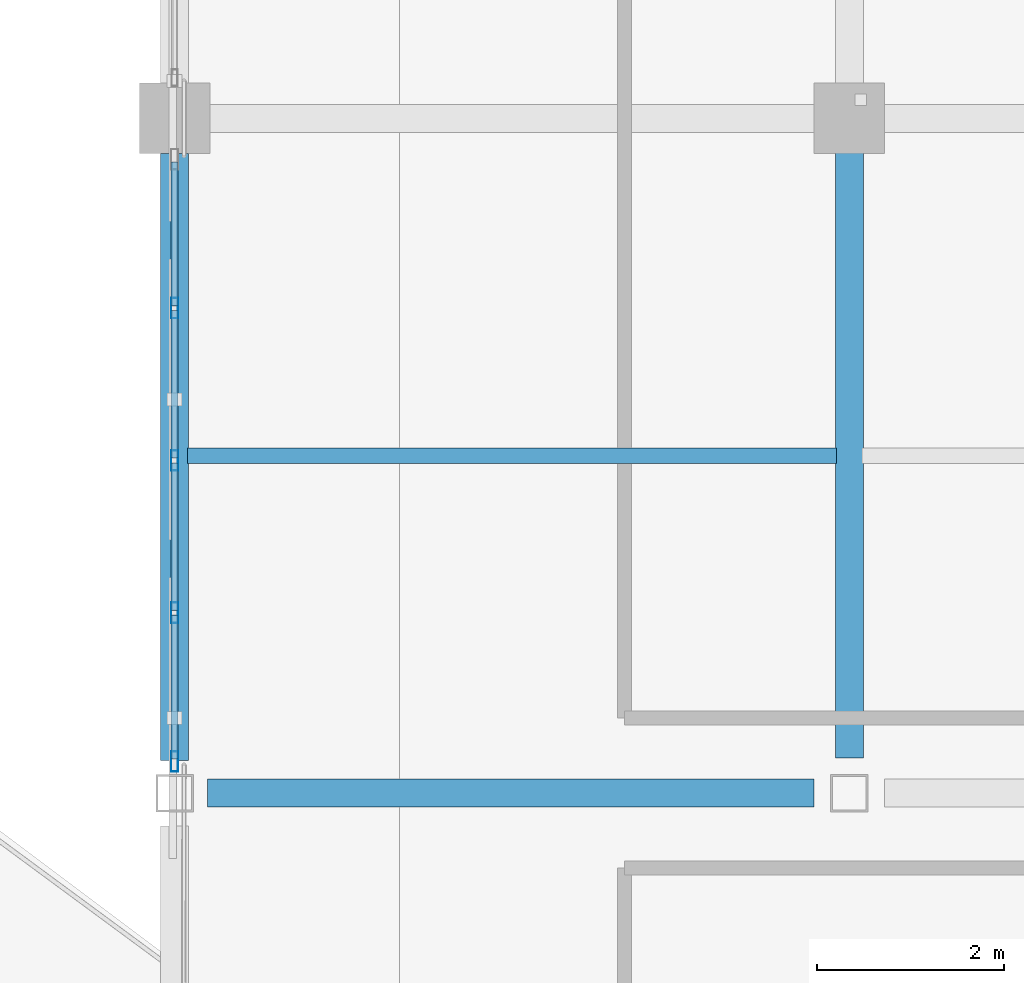
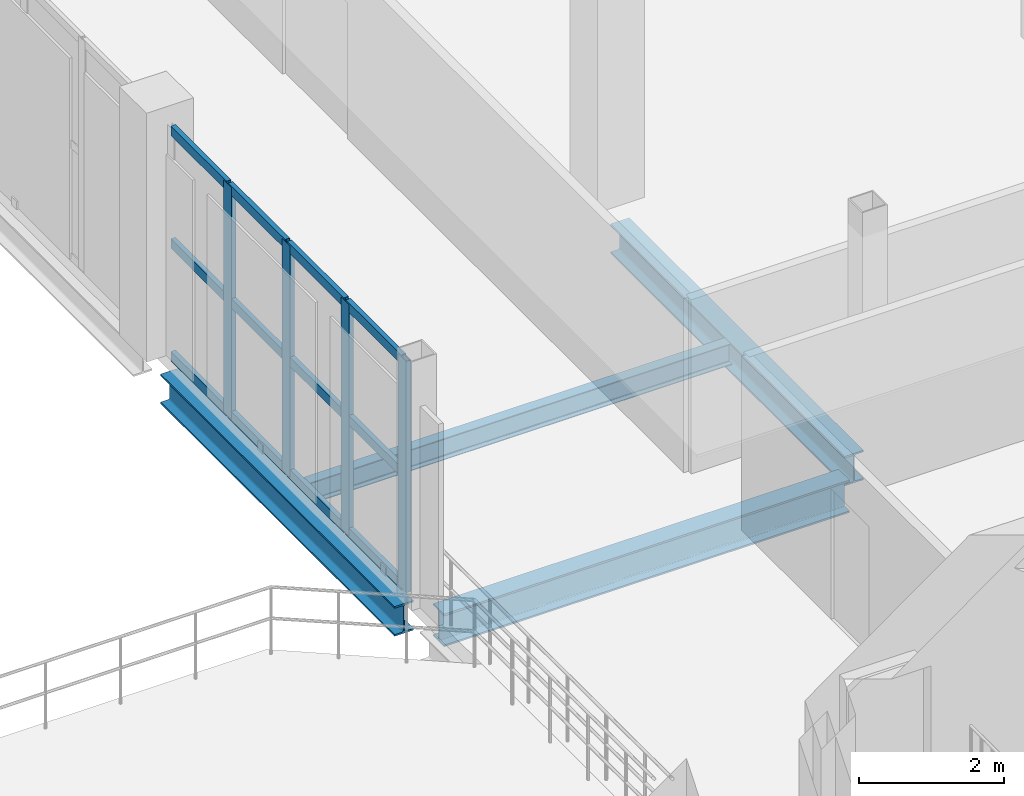
# One storey, part 70 of 130: 16 members, 4 beams, 1 element without a shape of its own.
"""IFC4 building model written with IfcOpenShell, lengths in metres."""

from ifc_helpers import new_model, si_unit, direction, frame, origin, origin_2d, place, context, subcontext, project, spatial, hollow_rectangle, i_section, extrude, material, material_profile, profile_set, type_object, element, aggregate, save


model = new_model("IFC4")

# Units and contexts
model_context = context("Model", 3, precision=1e-05, world=origin(), true_north=direction((0.0, 1.0)))
body_context = subcontext(model_context, "Body", "Model", "MODEL_VIEW")
ifc_project = project(units=[si_unit("LENGTHUNIT", "METRE"), si_unit("AREAUNIT", "SQUARE_METRE"), si_unit("VOLUMEUNIT", "CUBIC_METRE"), si_unit("PLANEANGLEUNIT", "RADIAN"), si_unit("MASSUNIT", "GRAM", prefix="KILO")], contexts=[model_context])

# Site, building, storey
site_placement = place(None, origin())
site = spatial("IfcSite", under=ifc_project, at=site_placement, CompositionType="ELEMENT")
building_placement = place(site_placement, origin())
building = spatial("IfcBuilding", under=site, at=building_placement, Name="Qandorah Velis Arena", CompositionType="ELEMENT")
storey_placement = place(building_placement, frame((0.0, 0.0, 9.60009765625)))
storey = spatial("IfcBuildingStorey", under=building, at=storey_placement, Name="L02", CompositionType="ELEMENT", Elevation=9.60009765625)

# Curtain wall, members
ifc_material_1 = material(Name="Solar-control low-E double glazing", Category="glass")
curtain_wall_type = type_object("IfcCurtainWallType", Name="ARC-CW-SYS05", PredefinedType="USERDEFINED", material=ifc_material_1)
curtain_wall_placement = place(storey_placement, origin())
curtain_wall = element("IfcCurtainWall", 1, at=curtain_wall_placement, inside=storey, type_object=curtain_wall_type, Name="Unitised curtain wall L02-125", ObjectType="UNITISED CURTAIN WALL", PredefinedType="USERDEFINED")
ifc_material_2 = material(Name="Champagne-bronze anodized aluminium 6063-T6", Category="aluminium")
ifc_material_profile_1 = material_profile(ifc_material_2, hollow_rectangle(XDim=0.074951171875, YDim=0.219970703125, WallThickness=0.00390625, at=origin_2d()), Name="ALU MULLION 75x220")
ifc_profile_set_1 = profile_set([ifc_material_profile_1], Name="Champagne-bronze anodized aluminium 6063-T6")
member_type_1 = type_object("IfcMemberType", Name="ARC-CWM-220", PredefinedType="MULLION", material=ifc_profile_set_1)
member_1_placement = place(storey_placement, frame((151.199951171875, 57.9375, -0.01513671875), z_axis=(0.0, 0.0, 1.0), x_axis=(-1.0, 0.0, 0.0)))
member_1 = element("IfcMember", 2, at=member_1_placement, type_object=member_type_1, Name="CW05 mullion 1", PredefinedType="MULLION", context=body_context, shape_type="SweptSolid", body=[
    extrude(hollow_rectangle(XDim=0.074951171875, YDim=0.219970703125, WallThickness=0.00390625, at=origin_2d()), origin(), (0.0, 0.0, 1.0), 3.91015625),
])
member_2_placement = place(storey_placement, frame((151.199951171875, 59.52490234375, -0.01513671875), z_axis=(0.0, 0.0, 1.0), x_axis=(-1.0, 0.0, 0.0)))
member_2 = element("IfcMember", 3, at=member_2_placement, type_object=member_type_1, Name="CW05 mullion 2", PredefinedType="MULLION", context=body_context, shape_type="SweptSolid", body=[
    extrude(hollow_rectangle(XDim=0.074951171875, YDim=0.219970703125, WallThickness=0.00390625, at=origin_2d()), origin(), (0.0, 0.0, 1.0), 3.91015625),
])
member_3_placement = place(storey_placement, frame((151.199951171875, 61.14990234375, -0.01513671875), z_axis=(0.0, 0.0, 1.0), x_axis=(-1.0, 0.0, 0.0)))
member_3 = element("IfcMember", 4, at=member_3_placement, type_object=member_type_1, Name="CW05 mullion 3", PredefinedType="MULLION", context=body_context, shape_type="SweptSolid", body=[
    extrude(hollow_rectangle(XDim=0.074951171875, YDim=0.219970703125, WallThickness=0.00390625, at=origin_2d()), origin(), (0.0, 0.0, 1.0), 3.91015625),
])
member_4_placement = place(storey_placement, frame((151.199951171875, 62.77490234375, -0.01513671875), z_axis=(0.0, 0.0, 1.0), x_axis=(-1.0, 0.0, 0.0)))
member_4 = element("IfcMember", 5, at=member_4_placement, type_object=member_type_1, Name="CW05 mullion 4", PredefinedType="MULLION", context=body_context, shape_type="SweptSolid", body=[
    extrude(hollow_rectangle(XDim=0.074951171875, YDim=0.219970703125, WallThickness=0.00390625, at=origin_2d()), origin(), (0.0, 0.0, 1.0), 3.91015625),
])
ifc_material_profile_2 = material_profile(ifc_material_2, hollow_rectangle(XDim=0.074951171875, YDim=0.159912109375, WallThickness=0.00341796875, at=origin_2d()), Name="ALU TRANSOM 75x160")
ifc_profile_set_2 = profile_set([ifc_material_profile_2], Name="Champagne-bronze anodized aluminium 6063-T6")
member_type_2 = type_object("IfcMemberType", Name="ARC-CWT-160", PredefinedType="USERDEFINED", material=ifc_profile_set_2)
member_5_placement = place(storey_placement, frame((151.199951171875, 57.962890625, 0.037353515625), z_axis=(0.0, 1.0, 0.0), x_axis=(-1.0, 0.0, 0.0)))
member_5 = element("IfcMember", 6, at=member_5_placement, type_object=member_type_2, Name="CW05 transom 1.1", ObjectType="TRANSOM", PredefinedType="USERDEFINED", context=body_context, shape_type="SweptSolid", body=[
    extrude(hollow_rectangle(XDim=0.074951171875, YDim=0.159912109375, WallThickness=0.00341796875, at=origin_2d()), origin(), (0.0, 0.0, 1.0), 1.53662109375),
])
member_6_placement = place(storey_placement, frame((151.199951171875, 57.962890625, 1.93994140625), z_axis=(0.0, 1.0, 0.0), x_axis=(-1.0, 0.0, 0.0)))
member_6 = element("IfcMember", 7, at=member_6_placement, type_object=member_type_2, Name="CW05 transom 1.2", ObjectType="TRANSOM", PredefinedType="USERDEFINED", context=body_context, shape_type="SweptSolid", body=[
    extrude(hollow_rectangle(XDim=0.074951171875, YDim=0.159912109375, WallThickness=0.00341796875, at=origin_2d()), origin(), (0.0, 0.0, 1.0), 1.53662109375),
])
member_7_placement = place(storey_placement, frame((151.199951171875, 57.962890625, 3.84228515625), z_axis=(0.0, 1.0, 0.0), x_axis=(-1.0, 0.0, 0.0)))
member_7 = element("IfcMember", 8, at=member_7_placement, type_object=member_type_2, Name="CW05 transom 1.3", ObjectType="TRANSOM", PredefinedType="USERDEFINED", context=body_context, shape_type="SweptSolid", body=[
    extrude(hollow_rectangle(XDim=0.074951171875, YDim=0.159912109375, WallThickness=0.00341796875, at=origin_2d()), origin(), (0.0, 0.0, 1.0), 1.53662109375),
])
member_8_placement = place(storey_placement, frame((151.199951171875, 59.550537109375, 0.037353515625), z_axis=(0.0, 1.0, 0.0), x_axis=(-1.0, 0.0, 0.0)))
member_8 = element("IfcMember", 9, at=member_8_placement, type_object=member_type_2, Name="CW05 transom 2.1", ObjectType="TRANSOM", PredefinedType="USERDEFINED", context=body_context, shape_type="SweptSolid", body=[
    extrude(hollow_rectangle(XDim=0.074951171875, YDim=0.159912109375, WallThickness=0.00341796875, at=origin_2d()), origin(), (0.0, 0.0, 1.0), 1.573974609375),
])
member_9_placement = place(storey_placement, frame((151.199951171875, 59.550537109375, 1.93994140625), z_axis=(0.0, 1.0, 0.0), x_axis=(-1.0, 0.0, 0.0)))
member_9 = element("IfcMember", 10, at=member_9_placement, type_object=member_type_2, Name="CW05 transom 2.2", ObjectType="TRANSOM", PredefinedType="USERDEFINED", context=body_context, shape_type="SweptSolid", body=[
    extrude(hollow_rectangle(XDim=0.074951171875, YDim=0.159912109375, WallThickness=0.00341796875, at=origin_2d()), origin(), (0.0, 0.0, 1.0), 1.573974609375),
])
member_10_placement = place(storey_placement, frame((151.199951171875, 59.550537109375, 3.84228515625), z_axis=(0.0, 1.0, 0.0), x_axis=(-1.0, 0.0, 0.0)))
member_10 = element("IfcMember", 11, at=member_10_placement, type_object=member_type_2, Name="CW05 transom 2.3", ObjectType="TRANSOM", PredefinedType="USERDEFINED", context=body_context, shape_type="SweptSolid", body=[
    extrude(hollow_rectangle(XDim=0.074951171875, YDim=0.159912109375, WallThickness=0.00341796875, at=origin_2d()), origin(), (0.0, 0.0, 1.0), 1.573974609375),
])
member_11_placement = place(storey_placement, frame((151.199951171875, 61.175537109375, 0.037353515625), z_axis=(0.0, 1.0, 0.0), x_axis=(-1.0, 0.0, 0.0)))
member_11 = element("IfcMember", 12, at=member_11_placement, type_object=member_type_2, Name="CW05 transom 3.1", ObjectType="TRANSOM", PredefinedType="USERDEFINED", context=body_context, shape_type="SweptSolid", body=[
    extrude(hollow_rectangle(XDim=0.074951171875, YDim=0.159912109375, WallThickness=0.00341796875, at=origin_2d()), origin(), (0.0, 0.0, 1.0), 1.573974609375),
])
member_12_placement = place(storey_placement, frame((151.199951171875, 61.175537109375, 1.93994140625), z_axis=(0.0, 1.0, 0.0), x_axis=(-1.0, 0.0, 0.0)))
member_12 = element("IfcMember", 13, at=member_12_placement, type_object=member_type_2, Name="CW05 transom 3.2", ObjectType="TRANSOM", PredefinedType="USERDEFINED", context=body_context, shape_type="SweptSolid", body=[
    extrude(hollow_rectangle(XDim=0.074951171875, YDim=0.159912109375, WallThickness=0.00341796875, at=origin_2d()), origin(), (0.0, 0.0, 1.0), 1.573974609375),
])
member_13_placement = place(storey_placement, frame((151.199951171875, 61.175537109375, 3.84228515625), z_axis=(0.0, 1.0, 0.0), x_axis=(-1.0, 0.0, 0.0)))
member_13 = element("IfcMember", 14, at=member_13_placement, type_object=member_type_2, Name="CW05 transom 3.3", ObjectType="TRANSOM", PredefinedType="USERDEFINED", context=body_context, shape_type="SweptSolid", body=[
    extrude(hollow_rectangle(XDim=0.074951171875, YDim=0.159912109375, WallThickness=0.00341796875, at=origin_2d()), origin(), (0.0, 0.0, 1.0), 1.573974609375),
])
member_14_placement = place(storey_placement, frame((151.199951171875, 62.800537109375, 0.037353515625), z_axis=(0.0, 1.0, 0.0), x_axis=(-1.0, 0.0, 0.0)))
member_14 = element("IfcMember", 15, at=member_14_placement, type_object=member_type_2, Name="CW05 transom 4.1", ObjectType="TRANSOM", PredefinedType="USERDEFINED", context=body_context, shape_type="SweptSolid", body=[
    extrude(hollow_rectangle(XDim=0.074951171875, YDim=0.159912109375, WallThickness=0.00341796875, at=origin_2d()), origin(), (0.0, 0.0, 1.0), 1.536376953125),
])
member_15_placement = place(storey_placement, frame((151.199951171875, 62.800537109375, 1.93994140625), z_axis=(0.0, 1.0, 0.0), x_axis=(-1.0, 0.0, 0.0)))
member_15 = element("IfcMember", 16, at=member_15_placement, type_object=member_type_2, Name="CW05 transom 4.2", ObjectType="TRANSOM", PredefinedType="USERDEFINED", context=body_context, shape_type="SweptSolid", body=[
    extrude(hollow_rectangle(XDim=0.074951171875, YDim=0.159912109375, WallThickness=0.00341796875, at=origin_2d()), origin(), (0.0, 0.0, 1.0), 1.536376953125),
])
member_16_placement = place(storey_placement, frame((151.199951171875, 62.800537109375, 3.84228515625), z_axis=(0.0, 1.0, 0.0), x_axis=(-1.0, 0.0, 0.0)))
member_16 = element("IfcMember", 17, at=member_16_placement, type_object=member_type_2, Name="CW05 transom 4.3", ObjectType="TRANSOM", PredefinedType="USERDEFINED", context=body_context, shape_type="SweptSolid", body=[
    extrude(hollow_rectangle(XDim=0.074951171875, YDim=0.159912109375, WallThickness=0.00341796875, at=origin_2d()), origin(), (0.0, 0.0, 1.0), 1.536376953125),
])
aggregate(curtain_wall, [member_1, member_2, member_3, member_4, member_5, member_6, member_7, member_8, member_9, member_10, member_11, member_12, member_13, member_14, member_15, member_16])

# Beams
ifc_material_3 = material(Name="Steel S355", Category="steel")
ifc_material_profile_3 = material_profile(ifc_material_3, i_section(OverallWidth=0.300048828125, OverallDepth=0.5, WebThickness=0.014404296875, FlangeThickness=0.028076171875, FilletRadius=0.027099609375, at=origin_2d()), Name="HEB 500")
ifc_profile_set_3 = profile_set([ifc_material_profile_3], Name="Steel S355")
beam_type_1 = type_object("IfcBeamType", Name="STR-BM-HEB500", PredefinedType="BEAM", material=ifc_profile_set_3)
beam_1_placement = place(storey_placement, frame((151.199951171875, 57.949951171875, -0.530029296875), z_axis=(0.0, 1.0, 0.0), x_axis=(-1.0, 0.0, 0.0)))
element("IfcBeam", 18, at=beam_1_placement, inside=storey, type_object=beam_type_1, Name="Primary floor girder L02 Y-334", PredefinedType="BEAM", context=body_context, shape_type="SweptSolid", body=[
    extrude(i_section(OverallWidth=0.300048828125, OverallDepth=0.5, WebThickness=0.014404296875, FlangeThickness=0.028076171875, FilletRadius=0.027099609375, at=origin_2d()), origin(), (0.0, 0.0, 1.0), 6.47509765625),
])
beam_2_placement = place(storey_placement, frame((158.39990234375, 57.97509765625, -0.530029296875), z_axis=(0.0, 1.0, 0.0), x_axis=(-1.0, 0.0, 0.0)))
element("IfcBeam", 19, at=beam_2_placement, inside=storey, type_object=beam_type_1, Name="Primary floor girder L02 Y-338", PredefinedType="BEAM", context=body_context, shape_type="SweptSolid", body=[
    extrude(i_section(OverallWidth=0.300048828125, OverallDepth=0.5, WebThickness=0.014404296875, FlangeThickness=0.028076171875, FilletRadius=0.027099609375, at=origin_2d()), origin(), (0.0, 0.0, 1.0), 6.474853515625),
])
ifc_material_profile_4 = material_profile(ifc_material_3, i_section(OverallWidth=0.300048828125, OverallDepth=0.550048828125, WebThickness=0.014892578125, FlangeThickness=0.029052734375, FilletRadius=0.027099609375, at=origin_2d()), Name="HEB 550")
ifc_profile_set_4 = profile_set([ifc_material_profile_4], Name="Steel S355")
beam_type_2 = type_object("IfcBeamType", Name="STR-BM-HEB550", PredefinedType="BEAM", material=ifc_profile_set_4)
beam_3_placement = place(storey_placement, frame((151.550048828125, 57.60009765625, -0.55517578125), z_axis=(1.0, 0.0, 0.0), x_axis=(0.0, 1.0, 0.0)))
element("IfcBeam", 20, at=beam_3_placement, inside=storey, type_object=beam_type_2, Name="Primary floor girder L02 X-088", PredefinedType="BEAM", context=body_context, shape_type="SweptSolid", body=[
    extrude(i_section(OverallWidth=0.300048828125, OverallDepth=0.550048828125, WebThickness=0.014892578125, FlangeThickness=0.029052734375, FilletRadius=0.027099609375, at=origin_2d()), origin(), (0.0, 0.0, 1.0), 6.474853515625),
])
ifc_material_profile_5 = material_profile(ifc_material_3, i_section(OverallWidth=0.169921875, OverallDepth=0.360107421875, WebThickness=0.008056640625, FlangeThickness=0.0126953125, FilletRadius=0.01806640625, at=origin_2d()), Name="IPE 360")
ifc_profile_set_5 = profile_set([ifc_material_profile_5], Name="Steel S355")
beam_type_3 = type_object("IfcBeamType", Name="STR-JST-IPE360", PredefinedType="JOIST", material=ifc_profile_set_5)
beam_4_placement = place(storey_placement, frame((151.3349609375, 61.199951171875, -0.460205078125), z_axis=(1.0, 0.0, 0.0), x_axis=(0.0, 1.0, 0.0)))
element("IfcBeam", 21, at=beam_4_placement, inside=storey, type_object=beam_type_3, Name="Secondary floor joist L02-098", PredefinedType="JOIST", context=body_context, shape_type="SweptSolid", body=[
    extrude(i_section(OverallWidth=0.169921875, OverallDepth=0.360107421875, WebThickness=0.008056640625, FlangeThickness=0.0126953125, FilletRadius=0.01806640625, at=origin_2d()), origin(), (0.0, 0.0, 1.0), 6.929931640625),
])

save(model, "model.ifc")
